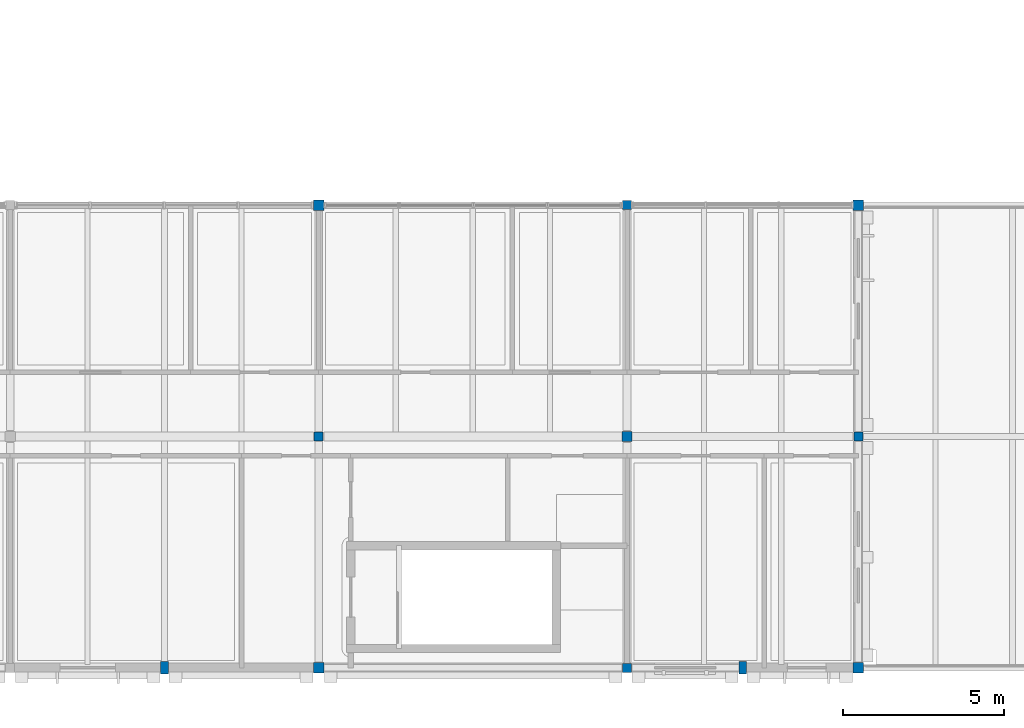
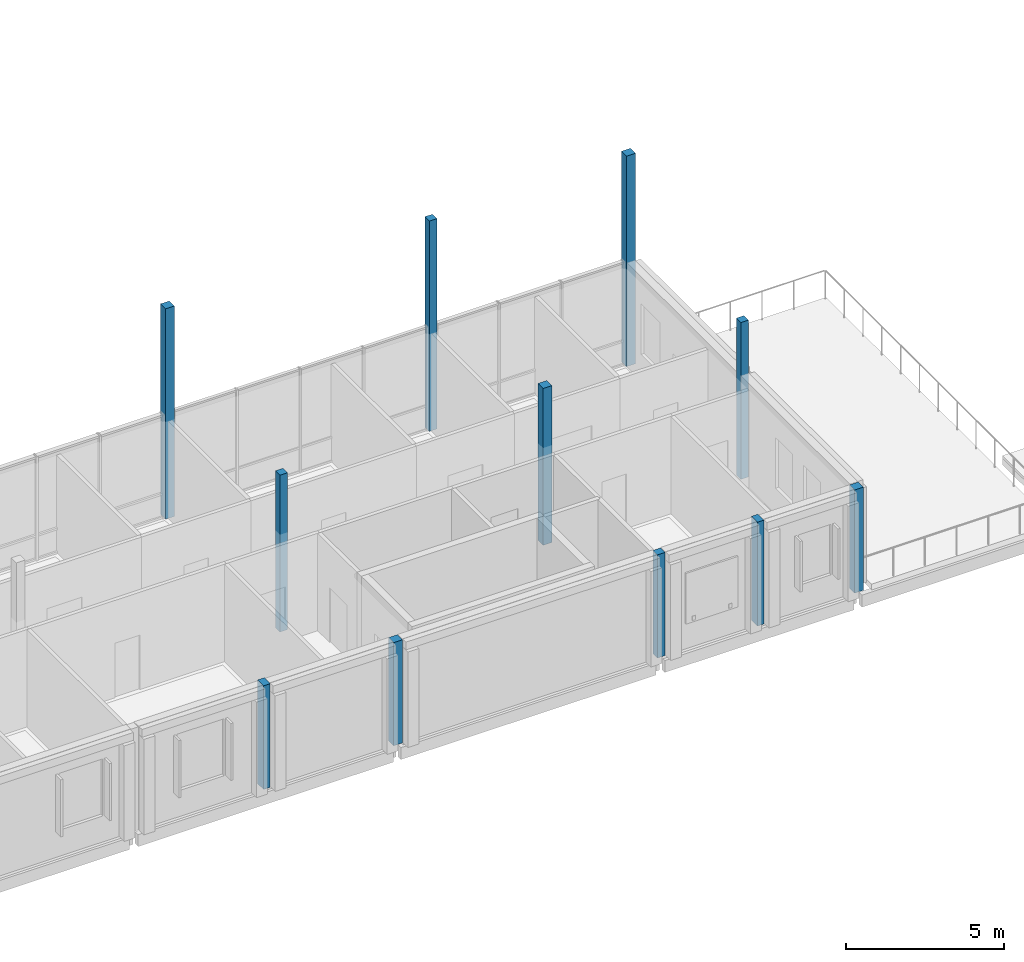
# One storey, part 2 of 57: 11 columns.
"""IFC4 building model written with IfcOpenShell, lengths in metres."""

from ifc_helpers import new_model, si_unit, direction, frame, origin, origin_2d, place, context, subcontext, project, spatial, rectangle, extrude, material, material_profile, profile_set, type_object, element, save


model = new_model("IFC4")

# Units and contexts
model_context = context("Model", 3, precision=1e-05, world=origin(), true_north=direction((0.0, 1.0)))
body_context = subcontext(model_context, "Body", "Model", "MODEL_VIEW")
ifc_project = project(units=[si_unit("LENGTHUNIT", "METRE"), si_unit("AREAUNIT", "SQUARE_METRE"), si_unit("VOLUMEUNIT", "CUBIC_METRE"), si_unit("PLANEANGLEUNIT", "RADIAN"), si_unit("MASSUNIT", "GRAM", prefix="KILO")], contexts=[model_context])

# Site, building, storey
site_placement = place(None, origin())
site = spatial("IfcSite", under=ifc_project, at=site_placement, CompositionType="ELEMENT")
building_placement = place(site_placement, origin())
building = spatial("IfcBuilding", under=site, at=building_placement, Name="Hawrajan Terrace Health Centre", CompositionType="ELEMENT")
storey_placement = place(building_placement, frame((0.0, 0.0, 13.199951171875)))
storey = spatial("IfcBuildingStorey", under=building, at=storey_placement, Name="L03", CompositionType="ELEMENT", Elevation=13.199951171875)

# Columns
ifc_material = material(Name="Glulam GL32h", Category="wood")
ifc_material_profile_1 = material_profile(ifc_material, rectangle(XDim=0.280029296875, YDim=0.280029296875, at=origin_2d()), Name="GL 280x280")
ifc_profile_set_1 = profile_set([ifc_material_profile_1], Name="Glulam GL32h")
column_type_1 = type_object("IfcColumnType", Name="GlulamCol_280x280", PredefinedType="COLUMN", material=ifc_profile_set_1)
column_1_placement = place(storey_placement, frame((91.0, 11.39990234375, 0.0), z_axis=(0.0, 0.0, 1.0), x_axis=(1.0, 0.0, 0.0)))
element("IfcColumn", 1, at=column_1_placement, inside=storey, type_object=column_type_1, Name="Column COL-L03-C-X12-Y2", PredefinedType="COLUMN", context=body_context, shape_type="SweptSolid", body=[
    extrude(rectangle(XDim=0.280029296875, YDim=0.280029296875, at=origin_2d()), origin(), (0.0, 0.0, 1.0), 6.044677734375),
])
column_2_placement = place(storey_placement, frame((100.60009765625, 4.199951171875, 0.0), z_axis=(0.0, 0.0, 1.0), x_axis=(1.0, 0.0, 0.0)))
element("IfcColumn", 2, at=column_2_placement, inside=storey, type_object=column_type_1, Name="Column COL-L03-C-X13-Y1", PredefinedType="COLUMN", context=body_context, shape_type="SweptSolid", body=[
    extrude(rectangle(XDim=0.280029296875, YDim=0.280029296875, at=origin_2d()), origin(), (0.0, 0.0, 1.0), 3.97998046875),
])
column_3_placement = place(storey_placement, frame((100.60009765625, 18.60009765625, 0.0), z_axis=(0.0, 0.0, 1.0), x_axis=(1.0, 0.0, 0.0)))
element("IfcColumn", 3, at=column_3_placement, inside=storey, type_object=column_type_1, Name="Column COL-L03-C-X13-Y3", PredefinedType="COLUMN", context=body_context, shape_type="SweptSolid", body=[
    extrude(rectangle(XDim=0.280029296875, YDim=0.280029296875, at=origin_2d()), origin(), (0.0, 0.0, 1.0), 8.109130859375),
])
column_4_placement = place(storey_placement, frame((107.800048828125, 11.39990234375, 0.0), z_axis=(0.0, 0.0, 1.0), x_axis=(1.0, 0.0, 0.0)))
element("IfcColumn", 4, at=column_4_placement, inside=storey, type_object=column_type_1, Name="Column COL-L03-C-X14-Y2", PredefinedType="COLUMN", context=body_context, shape_type="SweptSolid", body=[
    extrude(rectangle(XDim=0.280029296875, YDim=0.280029296875, at=origin_2d()), origin(), (0.0, 0.0, 1.0), 6.044677734375),
])
ifc_material_profile_2 = material_profile(ifc_material, rectangle(XDim=0.320068359375, YDim=0.320068359375, at=origin_2d()), Name="GL 320x320")
ifc_profile_set_2 = profile_set([ifc_material_profile_2], Name="Glulam GL32h")
column_type_2 = type_object("IfcColumnType", Name="GlulamCol_320x320", PredefinedType="COLUMN", material=ifc_profile_set_2)
column_5_placement = place(storey_placement, frame((91.0, 4.199951171875, 0.0), z_axis=(0.0, 0.0, 1.0), x_axis=(1.0, 0.0, 0.0)))
element("IfcColumn", 5, at=column_5_placement, inside=storey, type_object=column_type_2, Name="Column COL-L03-C-X12-Y1", PredefinedType="COLUMN", context=body_context, shape_type="SweptSolid", body=[
    extrude(rectangle(XDim=0.320068359375, YDim=0.320068359375, at=origin_2d()), origin(), (0.0, 0.0, 1.0), 3.97998046875),
])
column_6_placement = place(storey_placement, frame((91.0, 18.60009765625, 0.0), z_axis=(0.0, 0.0, 1.0), x_axis=(1.0, 0.0, 0.0)))
element("IfcColumn", 6, at=column_6_placement, inside=storey, type_object=column_type_2, Name="Column COL-L03-C-X12-Y3", PredefinedType="COLUMN", context=body_context, shape_type="SweptSolid", body=[
    extrude(rectangle(XDim=0.320068359375, YDim=0.320068359375, at=origin_2d()), origin(), (0.0, 0.0, 1.0), 8.109130859375),
])
column_7_placement = place(storey_placement, frame((100.60009765625, 11.39990234375, 0.0), z_axis=(0.0, 0.0, 1.0), x_axis=(1.0, 0.0, 0.0)))
element("IfcColumn", 7, at=column_7_placement, inside=storey, type_object=column_type_2, Name="Column COL-L03-C-X13-Y2", PredefinedType="COLUMN", context=body_context, shape_type="SweptSolid", body=[
    extrude(rectangle(XDim=0.320068359375, YDim=0.320068359375, at=origin_2d()), origin(), (0.0, 0.0, 1.0), 6.044677734375),
])
column_8_placement = place(storey_placement, frame((107.800048828125, 4.199951171875, 0.0), z_axis=(0.0, 0.0, 1.0), x_axis=(1.0, 0.0, 0.0)))
element("IfcColumn", 8, at=column_8_placement, inside=storey, type_object=column_type_2, Name="Column COL-L03-C-X14-Y1", PredefinedType="COLUMN", context=body_context, shape_type="SweptSolid", body=[
    extrude(rectangle(XDim=0.320068359375, YDim=0.320068359375, at=origin_2d()), origin(), (0.0, 0.0, 1.0), 3.97998046875),
])
column_9_placement = place(storey_placement, frame((107.800048828125, 18.60009765625, 0.0), z_axis=(0.0, 0.0, 1.0), x_axis=(1.0, 0.0, 0.0)))
element("IfcColumn", 9, at=column_9_placement, inside=storey, type_object=column_type_2, Name="Column COL-L03-C-X14-Y3", PredefinedType="COLUMN", context=body_context, shape_type="SweptSolid", body=[
    extrude(rectangle(XDim=0.320068359375, YDim=0.320068359375, at=origin_2d()), origin(), (0.0, 0.0, 1.0), 8.109130859375),
])
ifc_material_profile_3 = material_profile(ifc_material, rectangle(XDim=0.239990234375, YDim=0.3798828125, at=origin_2d()), Name="GL PIL 240x380")
ifc_profile_set_3 = profile_set([ifc_material_profile_3], Name="Glulam GL32h")
column_type_3 = type_object("IfcColumnType", Name="GlulamPilaster_240x380", PredefinedType="PILASTER", material=ifc_profile_set_3)
for number, where, z_axis, x_axis, name in (
    (10, (86.199951171875, 4.199951171875, 0.0), (0.0, 0.0, 1.0), (1.0, 0.0, 0.0), "Art Deco fluted pilaster L03-11-Y1"),
    (11, (104.199951171875, 4.199951171875, 0.0), (0.0, 0.0, 1.0), (1.0, 0.0, 0.0), "Art Deco fluted pilaster L03-13-Y1"),
):
    element("IfcColumn", number, at=place(storey_placement, frame(where, z_axis=z_axis, x_axis=x_axis)), inside=storey, type_object=column_type_3, Name=name, PredefinedType="PILASTER", context=body_context, shape_type="SweptSolid", body=[
        extrude(rectangle(XDim=0.239990234375, YDim=0.3798828125, at=origin_2d()), origin(), (0.0, 0.0, 1.0), 4.0),
    ])

save(model, "model.ifc")
